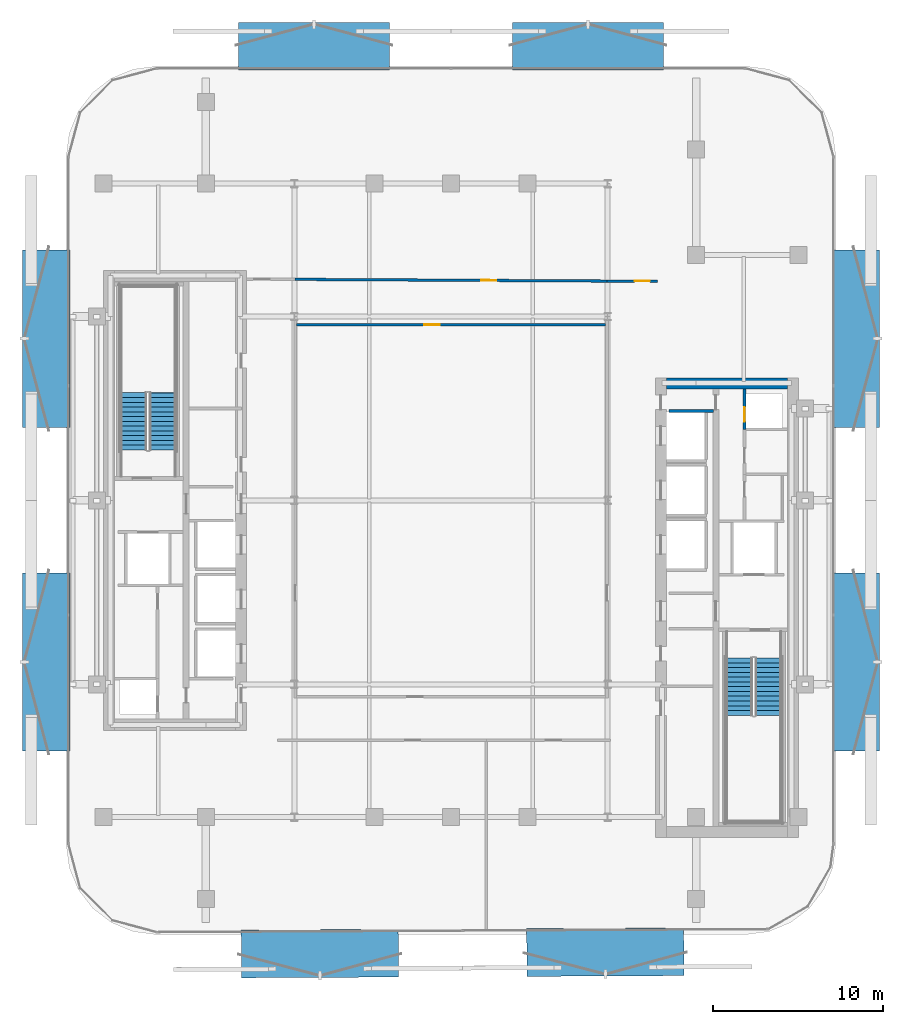
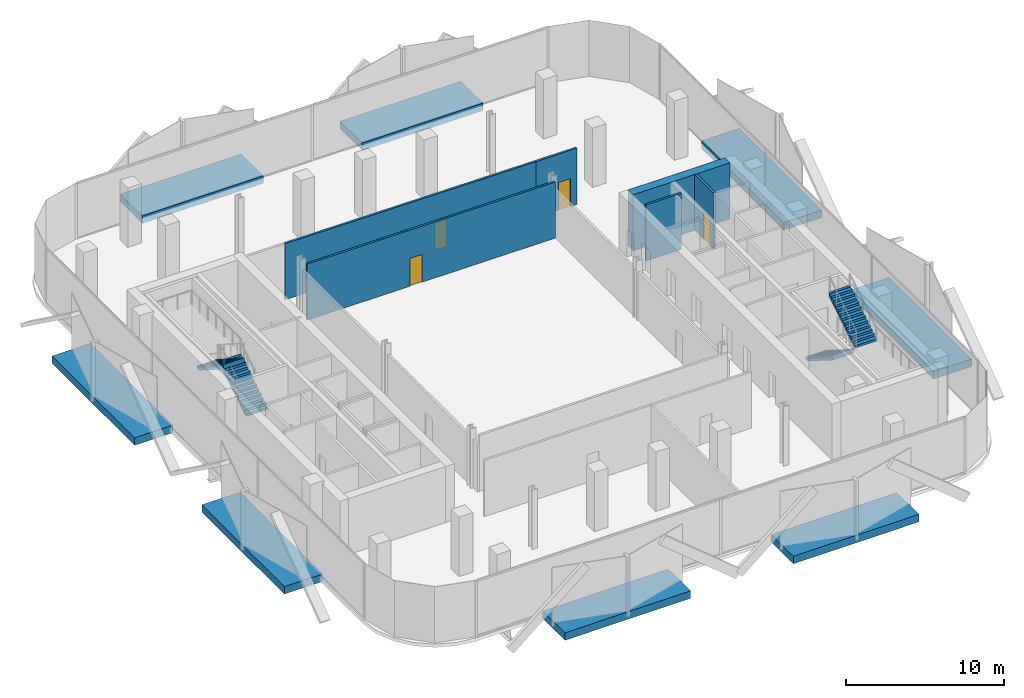
# One storey, part 5 of 14: 8 discrete accessories, 6 walls, 4 doors, 4 stair flights, 4 openings, 2 elements without a shape of their own.
"""IFC4 building model written with IfcOpenShell, lengths in metres."""

from ifc_helpers import new_model, si_unit, direction, frame, frame_2d, origin, origin_2d, place, context, subcontext, project, spatial, polyline, rectangle, outline, extrude, material, layer, layer_set, type_object, element, fill, aggregate, save


model = new_model("IFC4")

# Units and contexts
model_context = context("Model", 3, precision=1e-05, world=origin(), true_north=direction((0.0, 1.0)))
body_context = subcontext(model_context, "Body", "Model", "MODEL_VIEW")
ifc_project = project(units=[si_unit("LENGTHUNIT", "METRE"), si_unit("AREAUNIT", "SQUARE_METRE"), si_unit("VOLUMEUNIT", "CUBIC_METRE"), si_unit("PLANEANGLEUNIT", "RADIAN"), si_unit("MASSUNIT", "GRAM", prefix="KILO")], contexts=[model_context])

# Site, building, storey
site_placement = place(None, origin())
site = spatial("IfcSite", under=ifc_project, at=site_placement, CompositionType="ELEMENT")
building_placement = place(site_placement, origin())
building = spatial("IfcBuilding", under=site, at=building_placement, Name="Khairoan Windgate Tower", CompositionType="ELEMENT")
storey_placement = place(building_placement, frame((0.0, 0.0, 160.39990234375)))
storey = spatial("IfcBuildingStorey", under=building, at=storey_placement, Name="L36", CompositionType="ELEMENT", Elevation=160.39990234375)

# Wall
ifc_material_1 = material(Name="Concrete C40/50", Category="concrete")
ifc_layer_1 = layer(ifc_material_1, 0.159912109375, Name="Concrete C40/50")
ifc_layer_set_1 = layer_set([ifc_layer_1], Name="Concrete C40/50")
wall_type_1 = type_object("IfcWallType", Name="Core and Hoistway Enclosure Wall", PredefinedType="STANDARD", material=ifc_layer_set_1)
wall_1_placement = place(storey_placement, frame((12.800048828125, 5.25, 0.0), z_axis=(0.0, 0.0, 1.0), x_axis=(1.0, 0.0, 0.0)))
element("IfcWall", 1, at=wall_1_placement, inside=storey, type_object=wall_type_1, Name="L36 Core Shaft Wall SW-ESV-L36", PredefinedType="STANDARD", context=body_context, shape_type="SweptSolid", body=[
    extrude(rectangle(XDim=2.599853515625, YDim=0.159912109375, at=frame_2d((1.2998046875, 0.0))), origin(), (0.0, 0.0, 1.0), 4.340087890625),
])

# Wall, opening, door
ifc_material_2 = material(Name="Concrete C40/50", Category="concrete")
ifc_layer_2 = layer(ifc_material_2, 0.159912109375, Name="Concrete C40/50")
ifc_layer_set_2 = layer_set([ifc_layer_2], Name="Concrete C40/50")
wall_type_2 = type_object("IfcWallType", Name="Plant and Refuge Compartment Wall", PredefinedType="PARTITIONING", material=ifc_layer_set_2)
wall_2_placement = place(storey_placement, frame((17.22998046875, 4.169921875, 0.0), z_axis=(0.0, 0.0, 1.0), x_axis=(0.0, 1.0, 0.0)))
wall_2 = element("IfcWall", 2, at=wall_2_placement, inside=storey, type_object=wall_type_2, Name="L36 Interior Partition 005", PredefinedType="PARTITIONING", context=body_context, shape_type="SweptSolid", body=[
    extrude(rectangle(XDim=2.380126953125, YDim=0.159912109375, at=frame_2d((1.18994140625, 0.0))), origin(), (0.0, 0.0, 1.0), 4.340087890625),
])
opening_1_placement = place(wall_2_placement, frame((0.4599609375, 0.0, 0.0)))
opening_1 = element("IfcOpeningElement", 3, at=opening_1_placement, cuts=wall_2, Name="Opening FD-SRV", PredefinedType="OPENING", context=body_context, shape_type="SweptSolid", body=[
    extrude(rectangle(XDim=0.85009765625, YDim=2.10009765625, at=frame_2d((0.425048828125, 1.050048828125))), frame((0.0, 0.08984375, 0.0), z_axis=(0.0, -1.0, 0.0), x_axis=(1.0, 0.0, 0.0)), (0.0, 0.0, 1.0), 0.179931640625),
])
ifc_material_3 = material(Name="Steel S355", Category="steel")
door_type_1 = type_object("IfcDoorType", Name="Core Service and Riser Fire Door FD-SRV 850x2100", OperationType="NOTDEFINED", PredefinedType="DOOR", material=ifc_material_3)
door_1_placement = place(opening_1_placement, origin())
door_1 = element("IfcDoor", 4, at=door_1_placement, inside=storey, type_object=door_type_1, Name="L36 L36-17-L36-18 Door", OperationType="SINGLE_SWING_LEFT", OverallHeight=2.10009765625, OverallWidth=0.85009765625, PredefinedType="DOOR", context=body_context, shape_type="SweptSolid", body=[
    extrude(rectangle(XDim=0.85009765625, YDim=2.10009765625, at=frame_2d((0.425048828125, 1.050048828125))), frame((0.0, 0.02490234375, 0.0), z_axis=(0.0, -1.0, 0.0), x_axis=(1.0, 0.0, 0.0)), (0.0, 0.0, 1.0), 0.050048828125),
])
fill(opening_1, door_1)

ifc_material_4 = material(Name="Acoustic Fire-Rated Gypsum Partition", Category="gypsum")
ifc_layer_3 = layer(ifc_material_4, 0.14990234375, Name="Acoustic Fire-Rated Gypsum Partition")
ifc_layer_set_3 = layer_set([ifc_layer_3], Name="Acoustic Fire-Rated Gypsum Partition")
wall_type_3 = type_object("IfcWallType", Name="Rated Corridor Partition Wall", PredefinedType="PARTITIONING", material=ifc_layer_set_3)
wall_3_placement = place(storey_placement, frame((9.159912109375, 12.8798828125, 0.0), z_axis=(0.0, 0.0, 1.0), x_axis=(1.0, 0.0, 0.0)))
wall_3 = element("IfcWall", 5, at=wall_3_placement, inside=storey, type_object=wall_type_3, Name="L36 Interior Partition 014", PredefinedType="PARTITIONING", context=body_context, shape_type="SweptSolid", body=[
    extrude(rectangle(XDim=2.97998046875, YDim=0.14990234375, at=frame_2d((1.489990234375, 0.0))), origin(), (0.0, 0.0, 1.0), 4.340087890625),
])
opening_2_placement = place(wall_3_placement, frame((1.6201171875, 0.0, 0.0)))
opening_2 = element("IfcOpeningElement", 6, at=opening_2_placement, cuts=wall_3, Name="Opening FD-ENT", PredefinedType="OPENING", context=body_context, shape_type="SweptSolid", body=[
    extrude(rectangle(XDim=0.89990234375, YDim=2.14990234375, at=frame_2d((0.449951171875, 1.074951171875))), frame((0.0, 0.0849609375, 0.0), z_axis=(0.0, -1.0, 0.0), x_axis=(1.0, 0.0, 0.0)), (0.0, 0.0, 1.0), 0.169921875),
])
ifc_material_5 = material(Name="Timber Fire-Rated Core", Category="wood")
door_type_2 = type_object("IfcDoorType", Name="Unit and Office Fire Entrance Door FD-ENT 900x2150", OperationType="NOTDEFINED", PredefinedType="DOOR", material=ifc_material_5)
door_2_placement = place(opening_2_placement, origin())
door_2 = element("IfcDoor", 7, at=door_2_placement, inside=storey, type_object=door_type_2, Name="L36 L36-29-L36-33 Door", OperationType="SINGLE_SWING_LEFT", OverallHeight=2.14990234375, OverallWidth=0.89990234375, PredefinedType="DOOR", context=body_context, shape_type="SweptSolid", body=[
    extrude(rectangle(XDim=0.89990234375, YDim=2.14990234375, at=frame_2d((0.449951171875, 1.074951171875))), frame((0.0, 0.02490234375, 0.0), z_axis=(0.0, -1.0, 0.0), x_axis=(1.0, 0.0, 0.0)), (0.0, 0.0, 1.0), 0.050048828125),
])
fill(opening_2, door_2)

wall_4_placement = place(storey_placement, frame((-9.0849609375, 10.320068359375, 0.0), z_axis=(0.0, 0.0, 1.0), x_axis=(1.0, 0.0, 0.0)))
wall_4 = element("IfcWall", 8, at=wall_4_placement, inside=storey, type_object=wall_type_3, Name="L36 Interior Partition 018", PredefinedType="PARTITIONING", context=body_context, shape_type="SweptSolid", body=[
    extrude(rectangle(XDim=18.169921875, YDim=0.14990234375, at=frame_2d((9.0849609375, 0.0))), origin(), (0.0, 0.0, 1.0), 4.340087890625),
])
opening_3_placement = place(wall_4_placement, frame((7.52490234375, 0.0, 0.0)))
opening_3 = element("IfcOpeningElement", 9, at=opening_3_placement, cuts=wall_4, Name="Opening FD-ENT", PredefinedType="OPENING", context=body_context, shape_type="SweptSolid", body=[
    extrude(rectangle(XDim=0.89990234375, YDim=2.14990234375, at=frame_2d((0.449951171875, 1.074951171875))), frame((0.0, 0.0849609375, 0.0), z_axis=(0.0, -1.0, 0.0), x_axis=(1.0, 0.0, 0.0)), (0.0, 0.0, 1.0), 0.169921875),
])
door_3_placement = place(opening_3_placement, origin())
door_3 = element("IfcDoor", 10, at=door_3_placement, inside=storey, type_object=door_type_2, Name="L36 L36-31-L36-32 Door", OperationType="SINGLE_SWING_LEFT", OverallHeight=2.14990234375, OverallWidth=0.89990234375, PredefinedType="DOOR", context=body_context, shape_type="SweptSolid", body=[
    extrude(rectangle(XDim=0.89990234375, YDim=2.14990234375, at=frame_2d((0.449951171875, 1.074951171875))), frame((0.0, 0.02490234375, 0.0), z_axis=(0.0, -1.0, 0.0), x_axis=(1.0, 0.0, 0.0)), (0.0, 0.0, 1.0), 0.050048828125),
])
fill(opening_3, door_3)

wall_5_placement = place(storey_placement, frame((-9.159912109375, 12.97998046875, 0.0), z_axis=(0.0, 0.0, 1.0), x_axis=(0.999985073242, -0.005463816733, 0.0)))
wall_5 = element("IfcWall", 11, at=wall_5_placement, inside=storey, type_object=wall_type_3, Name="L36 Interior Partition 019", PredefinedType="PARTITIONING", context=body_context, shape_type="SweptSolid", body=[
    extrude(rectangle(XDim=18.320068359375, YDim=0.14990234375, at=frame_2d((9.16015625, 0.0))), origin(), (0.0, 0.0, 1.0), 4.340087890625),
])
opening_4_placement = place(wall_5_placement, frame((10.923583984375, 0.0, 0.0)))
opening_4 = element("IfcOpeningElement", 12, at=opening_4_placement, cuts=wall_5, Name="Opening FD-ENT", PredefinedType="OPENING", context=body_context, shape_type="SweptSolid", body=[
    extrude(rectangle(XDim=0.89990234375, YDim=2.14990234375, at=frame_2d((0.449951171875, 1.074951171875))), frame((0.0, 0.0849609375, 0.0), z_axis=(0.0, -1.0, 0.0), x_axis=(1.0, 0.0, 0.0)), (0.0, 0.0, 1.0), 0.169921875),
])
door_4_placement = place(opening_4_placement, origin())
door_4 = element("IfcDoor", 13, at=door_4_placement, inside=storey, type_object=door_type_2, Name="L36 L36-31-L36-33 Door", OperationType="SINGLE_SWING_RIGHT", OverallHeight=2.14990234375, OverallWidth=0.89990234375, PredefinedType="DOOR", context=body_context, shape_type="SweptSolid", body=[
    extrude(rectangle(XDim=0.89990234375, YDim=2.14990234375, at=frame_2d((0.449951171875, 1.074951171875))), frame((0.0, 0.02490234375, 0.0), z_axis=(0.0, -1.0, 0.0), x_axis=(1.0, 0.0, 0.0)), (0.0, 0.0, 1.0), 0.050048828125),
])
fill(opening_4, door_4)

# Wall
ifc_material_6 = material(Name="Concrete C60/75", Category="concrete")
ifc_layer_4 = layer(ifc_material_6, 0.64990234375, Name="Concrete C60/75")
ifc_layer_set_4 = layer_set([ifc_layer_4], Name="Concrete C60/75")
wall_type_4 = type_object("IfcWallType", Name="Shear Wall CW-E2 650mm", PredefinedType="SHEAR", material=ifc_layer_set_4)
wall_6_placement = place(storey_placement, frame((12.64990234375, 6.875, 0.0), z_axis=(0.0, 0.0, 1.0), x_axis=(1.0, 0.0, 0.0)))
element("IfcWall", 14, at=wall_6_placement, inside=storey, type_object=wall_type_4, Name="E Core North Shear Wall L36", PredefinedType="SHEAR", context=body_context, shape_type="SweptSolid", body=[
    extrude(rectangle(XDim=7.10009765625, YDim=0.64990234375, at=frame_2d((3.550048828125, 0.0))), origin(), (0.0, 0.0, 1.0), 4.340087890625),
])

# Stair, stair flights
ifc_material_7 = material(Name="Concrete C40/50", Category="concrete")
stair_type = type_object("IfcStairType", Name="Tower Core Dog-Leg Stair ST-T1 1560mm", PredefinedType="HALF_TURN_STAIR", material=ifc_material_7)
stair_1_placement = place(storey_placement, origin())
stair_1 = element("IfcStair", 15, at=stair_1_placement, inside=storey, type_object=stair_type, Name="L36 Stair ST1", PredefinedType="HALF_TURN_STAIR")
ifc_material_8 = material(Name="Concrete C40/50", Category="concrete")
ifc_layer_5 = layer(ifc_material_8, 0.14990234375, Name="Concrete C40/50")
ifc_layer_set_5 = layer_set([ifc_layer_5], Name="Concrete C40/50")
stair_flight_type = type_object("IfcStairFlightType", Name="Tower Core Stair Flight STF-1560", PredefinedType="STRAIGHT", material=ifc_layer_set_5)
stair_flight_1_placement = place(storey_placement, frame((16.929931640625, -9.260009765625, 0.0), z_axis=(0.0, 0.0, 1.0), x_axis=(0.0, -1.0, 0.0)))
stair_flight_1 = element("IfcStairFlight", 16, at=stair_flight_1_placement, type_object=stair_flight_type, Name="ST1 flight 1", NumberOfRisers=13, NumberOfTreads=12, PredefinedType="STRAIGHT", RiserHeight=0.176923077, TreadLength=0.28, context=body_context, shape_type="SweptSolid", body=[
    extrude(outline(polyline([(-0.00390625, 0.0), (-0.00390625, 0.177001953125), (0.0, 0.177001953125), (0.280029296875, 0.177001953125), (0.280029296875, 0.353759765625), (0.56005859375, 0.353759765625), (0.56005859375, 0.53076171875), (0.840087890625, 0.53076171875), (0.840087890625, 0.707763671875), (1.1201171875, 0.707763671875), (1.1201171875, 0.884521484375), (1.39990234375, 0.884521484375), (1.39990234375, 1.0615234375), (1.679931640625, 1.0615234375), (1.679931640625, 1.238525390625), (1.9599609375, 1.238525390625), (1.9599609375, 1.415283203125), (2.239990234375, 1.415283203125), (2.239990234375, 1.59228515625), (2.52001953125, 1.59228515625), (2.52001953125, 1.769287109375), (2.800048828125, 1.769287109375), (2.800048828125, 1.946044921875), (3.080078125, 1.946044921875), (3.080078125, 2.123046875), (3.360107421875, 2.123046875), (3.360107421875, 2.300048828125), (3.364013671875, 2.300048828125), (3.364013671875, 1.94580078125), (0.280517578125, 0.0), (-0.00390625, 0.0)])), frame((0.0, 0.780029296875, 0.0), z_axis=(0.0, -1.0, 0.0), x_axis=(1.0, 0.0, 0.0)), (0.0, 0.0, 1.0), 1.56005859375),
])
stair_flight_2_placement = place(storey_placement, frame((18.639892578125, -12.6201171875, 2.300048828125), z_axis=(0.0, 0.0, 1.0), x_axis=(0.0, 1.0, 0.0)))
stair_flight_2 = element("IfcStairFlight", 17, at=stair_flight_2_placement, type_object=stair_flight_type, Name="ST1 flight 2", NumberOfRisers=13, NumberOfTreads=12, PredefinedType="STRAIGHT", RiserHeight=0.176923077, TreadLength=0.28, context=body_context, shape_type="SweptSolid", body=[
    extrude(outline(polyline([(-0.00390625, 0.0), (-0.00390625, 0.177001953125), (0.0, 0.177001953125), (0.280029296875, 0.177001953125), (0.280029296875, 0.353759765625), (0.56005859375, 0.353759765625), (0.56005859375, 0.53076171875), (0.840087890625, 0.53076171875), (0.840087890625, 0.707763671875), (1.1201171875, 0.707763671875), (1.1201171875, 0.884521484375), (1.39990234375, 0.884521484375), (1.39990234375, 1.0615234375), (1.679931640625, 1.0615234375), (1.679931640625, 1.238525390625), (1.9599609375, 1.238525390625), (1.9599609375, 1.415283203125), (2.239990234375, 1.415283203125), (2.239990234375, 1.59228515625), (2.52001953125, 1.59228515625), (2.52001953125, 1.769287109375), (2.800048828125, 1.769287109375), (2.800048828125, 1.946044921875), (3.080078125, 1.946044921875), (3.080078125, 2.123046875), (3.360107421875, 2.123046875), (3.360107421875, 2.300048828125), (3.364013671875, 2.300048828125), (3.364013671875, 1.94580078125), (0.280517578125, 0.0), (-0.00390625, 0.0)])), frame((0.0, 0.780029296875, 0.0), z_axis=(0.0, -1.0, 0.0), x_axis=(1.0, 0.0, 0.0)), (0.0, 0.0, 1.0), 1.56005859375),
])
aggregate(stair_1, [stair_flight_1, stair_flight_2])

stair_2_placement = place(storey_placement, origin())
stair_2 = element("IfcStair", 18, at=stair_2_placement, inside=storey, type_object=stair_type, Name="L36 Stair ST2", PredefinedType="HALF_TURN_STAIR")
stair_flight_3_placement = place(storey_placement, frame((-16.929931640625, 2.9599609375, 0.0), z_axis=(0.0, 0.0, 1.0), x_axis=(0.0, 1.0, 0.0)))
stair_flight_3 = element("IfcStairFlight", 19, at=stair_flight_3_placement, type_object=stair_flight_type, Name="ST2 flight 1", NumberOfRisers=13, NumberOfTreads=12, PredefinedType="STRAIGHT", RiserHeight=0.176923077, TreadLength=0.28, context=body_context, shape_type="SweptSolid", body=[
    extrude(outline(polyline([(-0.00390625, 0.0), (-0.00390625, 0.177001953125), (0.0, 0.177001953125), (0.280029296875, 0.177001953125), (0.280029296875, 0.353759765625), (0.56005859375, 0.353759765625), (0.56005859375, 0.53076171875), (0.840087890625, 0.53076171875), (0.840087890625, 0.707763671875), (1.1201171875, 0.707763671875), (1.1201171875, 0.884521484375), (1.39990234375, 0.884521484375), (1.39990234375, 1.0615234375), (1.679931640625, 1.0615234375), (1.679931640625, 1.238525390625), (1.9599609375, 1.238525390625), (1.9599609375, 1.415283203125), (2.239990234375, 1.415283203125), (2.239990234375, 1.59228515625), (2.52001953125, 1.59228515625), (2.52001953125, 1.769287109375), (2.800048828125, 1.769287109375), (2.800048828125, 1.946044921875), (3.080078125, 1.946044921875), (3.080078125, 2.123046875), (3.360107421875, 2.123046875), (3.360107421875, 2.300048828125), (3.364013671875, 2.300048828125), (3.364013671875, 1.94580078125), (0.280517578125, 0.0), (-0.00390625, 0.0)])), frame((0.0, 0.780029296875, 0.0), z_axis=(0.0, -1.0, 0.0), x_axis=(1.0, 0.0, 0.0)), (0.0, 0.0, 1.0), 1.56005859375),
])
stair_flight_4_placement = place(storey_placement, frame((-18.639892578125, 6.320068359375, 2.300048828125), z_axis=(0.0, 0.0, 1.0), x_axis=(0.0, -1.0, 0.0)))
stair_flight_4 = element("IfcStairFlight", 20, at=stair_flight_4_placement, type_object=stair_flight_type, Name="ST2 flight 2", NumberOfRisers=13, NumberOfTreads=12, PredefinedType="STRAIGHT", RiserHeight=0.176923077, TreadLength=0.28, context=body_context, shape_type="SweptSolid", body=[
    extrude(outline(polyline([(-0.00390625, 0.0), (-0.00390625, 0.177001953125), (0.0, 0.177001953125), (0.280029296875, 0.177001953125), (0.280029296875, 0.353759765625), (0.56005859375, 0.353759765625), (0.56005859375, 0.53076171875), (0.840087890625, 0.53076171875), (0.840087890625, 0.707763671875), (1.1201171875, 0.707763671875), (1.1201171875, 0.884521484375), (1.39990234375, 0.884521484375), (1.39990234375, 1.0615234375), (1.679931640625, 1.0615234375), (1.679931640625, 1.238525390625), (1.9599609375, 1.238525390625), (1.9599609375, 1.415283203125), (2.239990234375, 1.415283203125), (2.239990234375, 1.59228515625), (2.52001953125, 1.59228515625), (2.52001953125, 1.769287109375), (2.800048828125, 1.769287109375), (2.800048828125, 1.946044921875), (3.080078125, 1.946044921875), (3.080078125, 2.123046875), (3.360107421875, 2.123046875), (3.360107421875, 2.300048828125), (3.364013671875, 2.300048828125), (3.364013671875, 1.94580078125), (0.280517578125, 0.0), (-0.00390625, 0.0)])), frame((0.0, 0.780029296875, 0.0), z_axis=(0.0, -1.0, 0.0), x_axis=(1.0, 0.0, 0.0)), (0.0, 0.0, 1.0), 1.56005859375),
])
aggregate(stair_2, [stair_flight_3, stair_flight_4])

# Discrete accessories
ifc_material_9 = material(Name="Steel S355", Category="steel")
discrete_accessory_type = type_object("IfcDiscreteAccessoryType", Name="Solar Screen Outrigger Slab Bracket SSB-1", PredefinedType="BRACKET", material=ifc_material_9)
for number, where, z_axis, x_axis, name in (
    (21, (9.06005859375, -26.5302734375, -0.419921875), (0.0, 0.0, 1.0), (-0.999988059021, -0.004886902454, 0.0), "L36 Solar Screen Outrigger Bracket 225"),
    (22, (-7.702880859375, -26.61279296875, -0.419921875), (0.0, 0.0, 1.0), (-0.999988059021, -0.004886902454, 0.0), "L36 Solar Screen Outrigger Bracket 226"),
):
    element("IfcDiscreteAccessory", number, at=place(storey_placement, frame(where, z_axis=z_axis, x_axis=x_axis)), inside=storey, type_object=discrete_accessory_type, Name=name, PredefinedType="BRACKET", context=body_context, shape_type="SweptSolid", body=[
        extrude(rectangle(XDim=9.219970703125, YDim=2.800048828125, at=origin_2d()), origin(), (0.0, 0.0, 1.0), 0.580078125),
    ])
for number, where, z_axis, x_axis, name in (
    (23, (-23.760009765625, -9.495361328125, -0.419921875), (0.0, 0.0, 1.0), (0.0, 1.0, 0.0), "L36 Solar Screen Outrigger Bracket 227"),
    (24, (-23.760009765625, 9.495361328125, -0.419921875), (0.0, 0.0, 1.0), (0.0, 1.0, 0.0), "L36 Solar Screen Outrigger Bracket 228"),
):
    element("IfcDiscreteAccessory", number, at=place(storey_placement, frame(where, z_axis=z_axis, x_axis=x_axis)), inside=storey, type_object=discrete_accessory_type, Name=name, PredefinedType="BRACKET", context=body_context, shape_type="SweptSolid", body=[
        extrude(rectangle(XDim=10.445068359375, YDim=2.800048828125, at=origin_2d()), origin(), (0.0, 0.0, 1.0), 0.580078125),
    ])
for number, where, z_axis, x_axis, name in (
    (25, (-8.04541015625, 26.659912109375, -0.419921875), (0.0, 0.0, 1.0), (1.0, 0.0, 0.0), "L36 Solar Screen Outrigger Bracket 229"),
    (26, (8.04541015625, 26.659912109375, -0.419921875), (0.0, 0.0, 1.0), (1.0, 0.0, 0.0), "L36 Solar Screen Outrigger Bracket 230"),
):
    element("IfcDiscreteAccessory", number, at=place(storey_placement, frame(where, z_axis=z_axis, x_axis=x_axis)), inside=storey, type_object=discrete_accessory_type, Name=name, PredefinedType="BRACKET", context=body_context, shape_type="SweptSolid", body=[
        extrude(rectangle(XDim=8.85009765625, YDim=2.800048828125, at=origin_2d()), origin(), (0.0, 0.0, 1.0), 0.580078125),
    ])
for number, where, z_axis, x_axis, name in (
    (27, (23.760009765625, 9.495361328125, -0.419921875), (0.0, 0.0, 1.0), (0.0, -1.0, 0.0), "L36 Solar Screen Outrigger Bracket 231"),
    (28, (23.760009765625, -9.495361328125, -0.419921875), (0.0, 0.0, 1.0), (0.0, -1.0, 0.0), "L36 Solar Screen Outrigger Bracket 232"),
):
    element("IfcDiscreteAccessory", number, at=place(storey_placement, frame(where, z_axis=z_axis, x_axis=x_axis)), inside=storey, type_object=discrete_accessory_type, Name=name, PredefinedType="BRACKET", context=body_context, shape_type="SweptSolid", body=[
        extrude(rectangle(XDim=10.445068359375, YDim=2.800048828125, at=origin_2d()), origin(), (0.0, 0.0, 1.0), 0.580078125),
    ])

save(model, "model.ifc")
